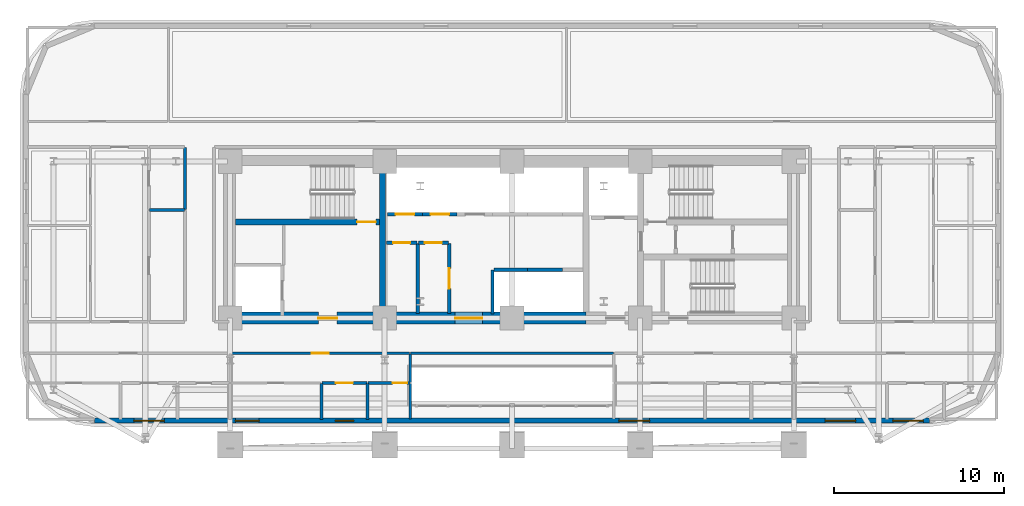
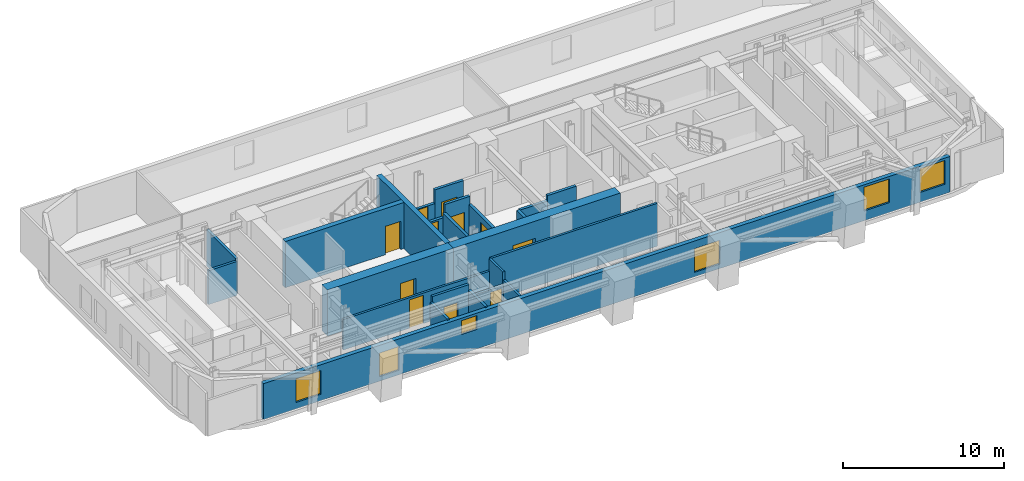
# One storey, part 9 of 16: 24 walls, 11 doors, 6 windows, 17 openings.
"""IFC4 building model written with IfcOpenShell, lengths in metres."""

from ifc_helpers import new_model, si_unit, direction, frame, frame_2d, origin, place, context, subcontext, project, spatial, rectangle, extrude, material, layer, layer_set, type_object, element, fill, save


model = new_model("IFC4")

# Units and contexts
model_context = context("Model", 3, precision=1e-05, world=origin(), true_north=direction((0.0, 1.0)))
body_context = subcontext(model_context, "Body", "Model", "MODEL_VIEW")
ifc_project = project(units=[si_unit("LENGTHUNIT", "METRE"), si_unit("AREAUNIT", "SQUARE_METRE"), si_unit("VOLUMEUNIT", "CUBIC_METRE"), si_unit("PLANEANGLEUNIT", "RADIAN"), si_unit("MASSUNIT", "GRAM", prefix="KILO")], contexts=[model_context])

# Site, building, storey
site_placement = place(None, origin())
site = spatial("IfcSite", under=ifc_project, at=site_placement, CompositionType="ELEMENT")
building_placement = place(site_placement, origin())
building = spatial("IfcBuilding", under=site, at=building_placement, Name="Zarnavel Station Tower", CompositionType="ELEMENT")
storey_placement = place(building_placement, frame((0.0, 0.0, 64.0)))
storey = spatial("IfcBuildingStorey", under=building, at=storey_placement, Name="L17", CompositionType="ELEMENT", Elevation=64.0)

# Wall
ifc_material_1 = material(Name="Concrete C50/60", Category="concrete")
ifc_layer_1 = layer(ifc_material_1, 0.35009765625)
ifc_layer_set_1 = layer_set([ifc_layer_1], Name="CW_350")
wall_type_1 = type_object("IfcWallType", Name="CW_350", PredefinedType="SHEAR", material=ifc_layer_set_1)
wall_1_placement = place(storey_placement, frame((21.179931640625, 28.169921875, 0.0), z_axis=(0.0, 0.0, 1.0), x_axis=(0.0, 1.0, 0.0)))
element("IfcWall", 1, at=wall_1_placement, inside=storey, type_object=wall_type_1, Name="L17 Rear Core Shear Wall DIV-W", PredefinedType="SHEAR", context=body_context, shape_type="SweptSolid", body=[
    extrude(rectangle(XDim=8.530029296875, YDim=0.35009765625, at=frame_2d((4.26513671875, 0.0))), origin(), (0.0, 0.0, 1.0), 3.5),
])

# Wall, opening, door
wall_2_placement = place(storey_placement, frame((21.0048828125, 33.47998046875, 0.0), z_axis=(0.0, 0.0, 1.0), x_axis=(-1.0, 0.0, 0.0)))
wall_2 = element("IfcWall", 2, at=wall_2_placement, inside=storey, type_object=wall_type_1, Name="L17 Rear Core Shear Wall DIV-H1", PredefinedType="SHEAR", context=body_context, shape_type="SweptSolid", body=[
    extrude(rectangle(XDim=8.5048828125, YDim=0.35009765625, at=frame_2d((4.25244140625, 0.0))), origin(), (0.0, 0.0, 1.0), 3.5),
])
opening_1_placement = place(wall_2_placement, frame((0.219970703125, 0.0, 0.0)))
opening_1 = element("IfcOpeningElement", 3, at=opening_1_placement, cuts=wall_2, Name="Opening FD01", PredefinedType="OPENING", context=body_context, shape_type="SweptSolid", body=[
    extrude(rectangle(XDim=1.10009765625, YDim=2.14990234375, at=frame_2d((0.550048828125, 1.074951171875))), frame((0.0, 0.18505859375, 0.0), z_axis=(0.0, -1.0, 0.0), x_axis=(1.0, 0.0, 0.0)), (0.0, 0.0, 1.0), 0.3701171875),
])
ifc_material_2 = material(Name="Painted Galvanised Steel and Hardwood Leaf", Category="steel")
door_type_1 = type_object("IfcDoorType", Name="ID_STAIR_1100", OperationType="NOTDEFINED", PredefinedType="DOOR", material=ifc_material_2)
door_1_placement = place(opening_1_placement, origin())
door_1 = element("IfcDoor", 4, at=door_1_placement, inside=storey, type_object=door_type_1, Name="L17 Stair ST1 Lobby Fire Door", OperationType="SINGLE_SWING_LEFT", OverallHeight=2.14990234375, OverallWidth=1.10009765625, PredefinedType="DOOR", context=body_context, shape_type="SweptSolid", body=[
    extrude(rectangle(XDim=1.10009765625, YDim=2.14990234375, at=frame_2d((0.550048828125, 1.074951171875))), frame((0.0, 0.02490234375, 0.0), z_axis=(0.0, -1.0, 0.0), x_axis=(1.0, 0.0, 0.0)), (0.0, 0.0, 1.0), 0.050048828125),
])
fill(opening_1, door_1)

ifc_material_3 = material(Name="Concrete C60/75", Category="concrete")
ifc_layer_2 = layer(ifc_material_3, 0.699951171875)
ifc_layer_set_2 = layer_set([ifc_layer_2], Name="CW_700")
wall_type_2 = type_object("IfcWallType", Name="CW_700", PredefinedType="SHEAR", material=ifc_layer_set_2)
wall_3_placement = place(storey_placement, frame((21.179931640625, 27.820068359375, 0.0), z_axis=(0.0, 0.0, 1.0), x_axis=(-1.0, 0.0, 0.0)))
wall_3 = element("IfcWall", 5, at=wall_3_placement, inside=storey, type_object=wall_type_2, Name="L17 Rear Core Shear Wall S-W", PredefinedType="SHEAR", context=body_context, shape_type="SweptSolid", body=[
    extrude(rectangle(XDim=9.030029296875, YDim=0.699951171875, at=frame_2d((4.51513671875, 0.0))), origin(), (0.0, 0.0, 1.0), 3.5),
])
opening_2_placement = place(wall_3_placement, frame((2.679931640625, 0.0, 0.0)))
opening_2 = element("IfcOpeningElement", 6, at=opening_2_placement, cuts=wall_3, Name="Opening FD01", PredefinedType="OPENING", context=body_context, shape_type="SweptSolid", body=[
    extrude(rectangle(XDim=1.10009765625, YDim=2.14990234375, at=frame_2d((0.550048828125, 1.074951171875))), frame((0.0, 0.35986328125, 0.0), z_axis=(0.0, -1.0, 0.0), x_axis=(1.0, 0.0, 0.0)), (0.0, 0.0, 1.0), 0.719970703125),
])
door_2_placement = place(opening_2_placement, origin())
door_2 = element("IfcDoor", 7, at=door_2_placement, inside=storey, type_object=door_type_1, Name="L17 West Firefighting Lobby Door", OperationType="SINGLE_SWING_RIGHT", OverallHeight=2.14990234375, OverallWidth=1.10009765625, PredefinedType="DOOR", context=body_context, shape_type="SweptSolid", body=[
    extrude(rectangle(XDim=1.10009765625, YDim=2.14990234375, at=frame_2d((0.550048828125, 1.074951171875))), frame((0.0, 0.02490234375, 0.0), z_axis=(0.0, -1.0, 0.0), x_axis=(1.0, 0.0, 0.0)), (0.0, 0.0, 1.0), 0.050048828125),
])
fill(opening_2, door_2)

wall_4_placement = place(storey_placement, frame((33.14990234375, 27.820068359375, 0.0), z_axis=(0.0, 0.0, 1.0), x_axis=(-1.0, 0.0, 0.0)))
wall_4 = element("IfcWall", 8, at=wall_4_placement, inside=storey, type_object=wall_type_2, Name="L17 Rear Core Shear Wall S-M", PredefinedType="SHEAR", context=body_context, shape_type="SweptSolid", body=[
    extrude(rectangle(XDim=11.969970703125, YDim=0.699951171875, at=frame_2d((5.98486328125, 0.0))), origin(), (0.0, 0.0, 1.0), 3.5),
])
opening_3_placement = place(wall_4_placement, frame((6.10009765625, 0.0, 0.0)))
opening_3 = element("IfcOpeningElement", 9, at=opening_3_placement, cuts=wall_4, Name="Opening ID03", PredefinedType="OPENING", context=body_context, shape_type="SweptSolid", body=[
    extrude(rectangle(XDim=1.60009765625, YDim=2.199951171875, at=frame_2d((0.800048828125, 1.10009765625))), frame((0.0, 0.35986328125, 0.0), z_axis=(0.0, -1.0, 0.0), x_axis=(1.0, 0.0, 0.0)), (0.0, 0.0, 1.0), 0.719970703125),
])
ifc_material_4 = material(Name="Painted Galvanised Steel and Hardwood Leaf", Category="steel")
door_type_2 = type_object("IfcDoorType", Name="ID_PUBLIC_1600", OperationType="DOUBLE_DOOR_SINGLE_SWING", PredefinedType="DOOR", material=ifc_material_4)
door_3_placement = place(opening_3_placement, origin())
door_3 = element("IfcDoor", 10, at=door_3_placement, inside=storey, type_object=door_type_2, Name="L17 Passenger Lift Lobby Double Door", OperationType="SINGLE_SWING_LEFT", OverallHeight=2.199951171875, OverallWidth=1.60009765625, PredefinedType="DOOR", context=body_context, shape_type="SweptSolid", body=[
    extrude(rectangle(XDim=1.60009765625, YDim=2.199951171875, at=frame_2d((0.800048828125, 1.10009765625))), frame((0.0, 0.02490234375, 0.0), z_axis=(0.0, -1.0, 0.0), x_axis=(1.0, 0.0, 0.0)), (0.0, 0.0, 1.0), 0.050048828125),
])
fill(opening_3, door_3)

# Wall, openings, windows
ifc_material_5 = material(Name="Precast concrete C45/55 (Dark Basalt Finish)", Category="masonry")
ifc_layer_3 = layer(ifc_material_5, 0.300048828125)
ifc_layer_set_3 = layer_set([ifc_layer_3], Name="EW_BASALT_300")
wall_type_3 = type_object("IfcWallType", Name="EW_BASALT_300", PredefinedType="SOLIDWALL", material=ifc_layer_set_3)
wall_5_placement = place(storey_placement, frame((53.39990234375, 21.780029296875, 0.0), z_axis=(0.0, 0.0, 1.0), x_axis=(-1.0, 0.0, 0.0)))
wall_5 = element("IfcWall", 11, at=wall_5_placement, inside=storey, type_object=wall_type_3, Name="L17 Exterior Basalt Masonry Frame Wall 12", PredefinedType="SOLIDWALL", context=body_context, shape_type="SweptSolid", body=[
    extrude(rectangle(XDim=49.199951171875, YDim=0.300048828125, at=frame_2d((24.60009765625, 0.0))), origin(), (0.0, 0.0, 1.0), 2.719970703125),
])
opening_4_placement = place(wall_5_placement, frame((45.071533203125, 0.0, 0.47998046875)))
opening_4 = element("IfcOpeningElement", 12, at=opening_4_placement, cuts=wall_5, Name="Opening WN02", PredefinedType="OPENING", context=body_context, shape_type="SweptSolid", body=[
    extrude(rectangle(XDim=1.800048828125, YDim=1.800048828125, at=frame_2d((0.89990234375, 0.89990234375))), frame((0.0, 0.159912109375, 0.0), z_axis=(0.0, -1.0, 0.0), x_axis=(1.0, 0.0, 0.0)), (0.0, 0.0, 1.0), 0.320068359375),
])
opening_5_placement = place(wall_5_placement, frame((39.5, 0.0, 0.340087890625)))
opening_5 = element("IfcOpeningElement", 13, at=opening_5_placement, cuts=wall_5, Name="Opening WN01", PredefinedType="OPENING", context=body_context, shape_type="SweptSolid", body=[
    extrude(rectangle(XDim=1.39990234375, YDim=1.800048828125, at=frame_2d((0.699951171875, 0.89990234375))), frame((0.0, 0.159912109375, 0.0), z_axis=(0.0, -1.0, 0.0), x_axis=(1.0, 0.0, 0.0)), (0.0, 0.0, 1.0), 0.320068359375),
])
opening_6_placement = place(wall_5_placement, frame((33.9169921875, 0.0, 1.47998046875)))
opening_6 = element("IfcOpeningElement", 14, at=opening_6_placement, cuts=wall_5, Name="Opening WN09", PredefinedType="OPENING", context=body_context, shape_type="SweptSolid", body=[
    extrude(rectangle(XDim=1.10009765625, YDim=1.050048828125, at=frame_2d((0.550048828125, 0.52490234375))), frame((0.0, 0.159912109375, 0.0), z_axis=(0.0, -1.0, 0.0), x_axis=(1.0, 0.0, 0.0)), (0.0, 0.0, 1.0), 0.320068359375),
])
opening_7_placement = place(wall_5_placement, frame((16.5, 0.0, 0.340087890625)))
opening_7 = element("IfcOpeningElement", 15, at=opening_7_placement, cuts=wall_5, Name="Opening WN02", PredefinedType="OPENING", context=body_context, shape_type="SweptSolid", body=[
    extrude(rectangle(XDim=1.800048828125, YDim=1.800048828125, at=frame_2d((0.89990234375, 0.89990234375))), frame((0.0, 0.159912109375, 0.0), z_axis=(0.0, -1.0, 0.0), x_axis=(1.0, 0.0, 0.0)), (0.0, 0.0, 1.0), 0.320068359375),
])
opening_8_placement = place(wall_5_placement, frame((4.35400390625, 0.0, 0.739990234375)))
opening_8 = element("IfcOpeningElement", 16, at=opening_8_placement, cuts=wall_5, Name="Opening WN02", PredefinedType="OPENING", context=body_context, shape_type="SweptSolid", body=[
    extrude(rectangle(XDim=1.800048828125, YDim=1.800048828125, at=frame_2d((0.89990234375, 0.89990234375))), frame((0.0, 0.159912109375, 0.0), z_axis=(0.0, -1.0, 0.0), x_axis=(1.0, 0.0, 0.0)), (0.0, 0.0, 1.0), 0.320068359375),
])
opening_9_placement = place(wall_5_placement, frame((0.364013671875, 0.0, 0.739990234375)))
opening_9 = element("IfcOpeningElement", 17, at=opening_9_placement, cuts=wall_5, Name="Opening WN02", PredefinedType="OPENING", context=body_context, shape_type="SweptSolid", body=[
    extrude(rectangle(XDim=1.800048828125, YDim=1.800048828125, at=frame_2d((0.89990234375, 0.89990234375))), frame((0.0, 0.159912109375, 0.0), z_axis=(0.0, -1.0, 0.0), x_axis=(1.0, 0.0, 0.0)), (0.0, 0.0, 1.0), 0.320068359375),
])
ifc_material_6 = material(Name="Thermally Broken Black Aluminium and Low-E Dark Glass", Category="aluminium")
window_type_1 = type_object("IfcWindowType", Name="WN_1100x1050", PartitioningType="SINGLE_PANEL", PredefinedType="WINDOW", material=ifc_material_6)
window_1_placement = place(opening_6_placement, origin())
window_1 = element("IfcWindow", 18, at=window_1_placement, inside=storey, type_object=window_type_1, Name="L17 Recessed Facade Window 03", OverallHeight=1.050048828125, OverallWidth=1.10009765625, PartitioningType="SINGLE_PANEL", PredefinedType="WINDOW", context=body_context, shape_type="SweptSolid", body=[
    extrude(rectangle(XDim=1.10009765625, YDim=1.050048828125, at=frame_2d((0.550048828125, 0.52490234375))), frame((0.0, 0.030029296875, 0.0), z_axis=(0.0, -1.0, 0.0), x_axis=(1.0, 0.0, 0.0)), (0.0, 0.0, 1.0), 0.06005859375),
])
fill(opening_6, window_1)
ifc_material_7 = material(Name="Thermally Broken Black Aluminium and Low-E Dark Glass", Category="aluminium")
window_type_2 = type_object("IfcWindowType", Name="WN_1400x1800", PartitioningType="DOUBLE_PANEL_VERTICAL", PredefinedType="WINDOW", material=ifc_material_7)
window_2_placement = place(opening_5_placement, origin())
window_2 = element("IfcWindow", 19, at=window_2_placement, inside=storey, type_object=window_type_2, Name="L17 Recessed Facade Window 02", OverallHeight=1.800048828125, OverallWidth=1.39990234375, PartitioningType="SINGLE_PANEL", PredefinedType="WINDOW", context=body_context, shape_type="SweptSolid", body=[
    extrude(rectangle(XDim=1.39990234375, YDim=1.800048828125, at=frame_2d((0.699951171875, 0.89990234375))), frame((0.0, 0.030029296875, 0.0), z_axis=(0.0, -1.0, 0.0), x_axis=(1.0, 0.0, 0.0)), (0.0, 0.0, 1.0), 0.06005859375),
])
fill(opening_5, window_2)
ifc_material_8 = material(Name="Thermally Broken Black Aluminium and Low-E Dark Glass", Category="aluminium")
window_type_3 = type_object("IfcWindowType", Name="WN_1800x1800", PartitioningType="DOUBLE_PANEL_VERTICAL", PredefinedType="WINDOW", material=ifc_material_8)
window_3_placement = place(opening_4_placement, origin())
window_3 = element("IfcWindow", 20, at=window_3_placement, inside=storey, type_object=window_type_3, Name="L17 Recessed Facade Window 01", OverallHeight=1.800048828125, OverallWidth=1.800048828125, PartitioningType="SINGLE_PANEL", PredefinedType="WINDOW", context=body_context, shape_type="SweptSolid", body=[
    extrude(rectangle(XDim=1.800048828125, YDim=1.800048828125, at=frame_2d((0.89990234375, 0.89990234375))), frame((0.0, 0.030029296875, 0.0), z_axis=(0.0, -1.0, 0.0), x_axis=(1.0, 0.0, 0.0)), (0.0, 0.0, 1.0), 0.06005859375),
])
fill(opening_4, window_3)
window_4_placement = place(opening_7_placement, origin())
window_4 = element("IfcWindow", 21, at=window_4_placement, inside=storey, type_object=window_type_3, Name="L17 Recessed Facade Window 04", OverallHeight=1.800048828125, OverallWidth=1.800048828125, PartitioningType="SINGLE_PANEL", PredefinedType="WINDOW", context=body_context, shape_type="SweptSolid", body=[
    extrude(rectangle(XDim=1.800048828125, YDim=1.800048828125, at=frame_2d((0.89990234375, 0.89990234375))), frame((0.0, 0.030029296875, 0.0), z_axis=(0.0, -1.0, 0.0), x_axis=(1.0, 0.0, 0.0)), (0.0, 0.0, 1.0), 0.06005859375),
])
fill(opening_7, window_4)
window_5_placement = place(opening_8_placement, origin())
window_5 = element("IfcWindow", 22, at=window_5_placement, inside=storey, type_object=window_type_3, Name="L17 Recessed Facade Window 05", OverallHeight=1.800048828125, OverallWidth=1.800048828125, PartitioningType="SINGLE_PANEL", PredefinedType="WINDOW", context=body_context, shape_type="SweptSolid", body=[
    extrude(rectangle(XDim=1.800048828125, YDim=1.800048828125, at=frame_2d((0.89990234375, 0.89990234375))), frame((0.0, 0.030029296875, 0.0), z_axis=(0.0, -1.0, 0.0), x_axis=(1.0, 0.0, 0.0)), (0.0, 0.0, 1.0), 0.06005859375),
])
fill(opening_8, window_5)
window_6_placement = place(opening_9_placement, origin())
window_6 = element("IfcWindow", 23, at=window_6_placement, inside=storey, type_object=window_type_3, Name="L17 Recessed Facade Window 06", OverallHeight=1.800048828125, OverallWidth=1.800048828125, PartitioningType="SINGLE_PANEL", PredefinedType="WINDOW", context=body_context, shape_type="SweptSolid", body=[
    extrude(rectangle(XDim=1.800048828125, YDim=1.800048828125, at=frame_2d((0.89990234375, 0.89990234375))), frame((0.0, 0.030029296875, 0.0), z_axis=(0.0, -1.0, 0.0), x_axis=(1.0, 0.0, 0.0)), (0.0, 0.0, 1.0), 0.06005859375),
])
fill(opening_9, window_6)

# Wall, opening, door
ifc_material_9 = material(Name="Gypsum Twin-Stud Acoustic Fire Partition", Category="concrete")
ifc_layer_4 = layer(ifc_material_9, 0.159912109375)
ifc_layer_set_4 = layer_set([ifc_layer_4], Name="PT_DEMISE_160")
wall_type_4 = type_object("IfcWallType", Name="PT_DEMISE_160", PredefinedType="PARTITIONING", material=ifc_layer_set_4)
wall_6_placement = place(storey_placement, frame((12.239990234375, 25.75, 0.0), z_axis=(0.0, 0.0, 1.0), x_axis=(1.0, 0.0, 0.0)))
wall_6 = element("IfcWall", 24, at=wall_6_placement, inside=storey, type_object=wall_type_4, Name="L17 Partition COR-S-UW2LV", PredefinedType="PARTITIONING", context=body_context, shape_type="SweptSolid", body=[
    extrude(rectangle(XDim=10.52001953125, YDim=0.159912109375, at=frame_2d((5.260009765625, 0.0))), origin(), (0.0, 0.0, 1.0), 2.31005859375),
])
opening_10_placement = place(wall_6_placement, frame((4.760009765625, 0.0, 0.0)))
opening_10 = element("IfcOpeningElement", 25, at=opening_10_placement, cuts=wall_6, Name="Opening FD02", PredefinedType="OPENING", context=body_context, shape_type="SweptSolid", body=[
    extrude(rectangle(XDim=1.0, YDim=2.14990234375, at=frame_2d((0.5, 1.074951171875))), frame((0.0, 0.08984375, 0.0), z_axis=(0.0, -1.0, 0.0), x_axis=(1.0, 0.0, 0.0)), (0.0, 0.0, 1.0), 0.179931640625),
])
ifc_material_10 = material(Name="Painted Galvanised Steel and Hardwood Leaf", Category="steel")
door_type_3 = type_object("IfcDoorType", Name="ID_ENTRY_1000", OperationType="NOTDEFINED", PredefinedType="DOOR", material=ifc_material_10)
door_4_placement = place(opening_10_placement, origin())
door_4 = element("IfcDoor", 26, at=door_4_placement, inside=storey, type_object=door_type_3, Name="L17 Door COR-S-UW2LV", OperationType="SINGLE_SWING_LEFT", OverallHeight=2.14990234375, OverallWidth=1.0, PredefinedType="DOOR", context=body_context, shape_type="SweptSolid", body=[
    extrude(rectangle(XDim=1.0, YDim=2.14990234375, at=frame_2d((0.5, 1.074951171875))), frame((0.0, 0.02490234375, 0.0), z_axis=(0.0, -1.0, 0.0), x_axis=(1.0, 0.0, 0.0)), (0.0, 0.0, 1.0), 0.050048828125),
])
fill(opening_10, door_4)

# Walls
wall_7_placement = place(storey_placement, frame((22.830078125, 25.75, 0.0), z_axis=(0.0, 0.0, 1.0), x_axis=(1.0, 0.0, 0.0)))
element("IfcWall", 27, at=wall_7_placement, inside=storey, type_object=wall_type_4, Name="L17 Enclosure Wall COR-S", PredefinedType="PARTITIONING", context=body_context, shape_type="SweptSolid", body=[
    extrude(rectangle(XDim=11.93994140625, YDim=0.159912109375, at=frame_2d((5.969970703125, 0.0))), origin(), (0.0, 0.0, 1.0), 3.239990234375),
])
wall_8_placement = place(storey_placement, frame((22.800048828125, 24.030029296875, 0.0), z_axis=(0.0, 0.0, 1.0), x_axis=(0.0, 1.0, 0.0)))
element("IfcWall", 28, at=wall_8_placement, inside=storey, type_object=wall_type_4, Name="L17 Enclosure Wall UW2LV", PredefinedType="PARTITIONING", context=body_context, shape_type="SweptSolid", body=[
    extrude(rectangle(XDim=1.68994140625, YDim=0.159912109375, at=frame_2d((0.844970703125, 0.0))), origin(), (0.0, 0.0, 1.0), 3.239990234375),
])
wall_9_placement = place(storey_placement, frame((22.800048828125, 21.889892578125, 0.0), z_axis=(0.0, 0.0, 1.0), x_axis=(0.0, 1.0, 0.0)))
element("IfcWall", 29, at=wall_9_placement, inside=storey, type_object=wall_type_4, Name="L17 Enclosure Wall UW2BA", PredefinedType="PARTITIONING", context=body_context, shape_type="SweptSolid", body=[
    extrude(rectangle(XDim=2.080078125, YDim=0.159912109375, at=frame_2d((1.0400390625, 0.0))), origin(), (0.0, 0.0, 1.0), 2.679931640625),
])
ifc_material_11 = material(Name="Precast concrete C45/55 (Fire Shaft Blockwork)", Category="masonry")
ifc_layer_5 = layer(ifc_material_11, 0.199951171875)
ifc_layer_set_5 = layer_set([ifc_layer_5], Name="PT_SHAFT_200")
wall_type_5 = type_object("IfcWallType", Name="PT_SHAFT_200", PredefinedType="PARTITIONING", material=ifc_layer_set_5)
wall_10_placement = place(storey_placement, frame((27.75, 30.669921875, 0.0), z_axis=(0.0, 0.0, 1.0), x_axis=(1.0, 0.0, 0.0)))
element("IfcWall", 30, at=wall_10_placement, inside=storey, type_object=wall_type_5, Name="L17 Lift PL-H1 Shaft Front Wall", PredefinedType="PARTITIONING", context=body_context, shape_type="SweptSolid", body=[
    extrude(rectangle(XDim=1.97509765625, YDim=0.199951171875, at=frame_2d((0.987548828125, 0.0))), origin(), (0.0, 0.0, 1.0), 2.2119140625),
])
wall_11_placement = place(storey_placement, frame((27.64990234375, 28.070068359375, 0.0), z_axis=(0.0, 0.0, 1.0), x_axis=(0.0, 1.0, 0.0)))
element("IfcWall", 31, at=wall_11_placement, inside=storey, type_object=wall_type_5, Name="L17 High-Rise Lift Bank West Shaft Wall", PredefinedType="PARTITIONING", context=body_context, shape_type="SweptSolid", body=[
    extrude(rectangle(XDim=2.579833984375, YDim=0.199951171875, at=frame_2d((1.2900390625, 0.0))), origin(), (0.0, 0.0, 1.0), 2.2119140625),
])
wall_12_placement = place(storey_placement, frame((29.72509765625, 30.669921875, 0.0), z_axis=(0.0, 0.0, 1.0), x_axis=(1.0, 0.0, 0.0)))
element("IfcWall", 32, at=wall_12_placement, inside=storey, type_object=wall_type_5, Name="L17 Lift PL-H2 Shaft Front Wall", PredefinedType="PARTITIONING", context=body_context, shape_type="SweptSolid", body=[
    extrude(rectangle(XDim=2.0498046875, YDim=0.199951171875, at=frame_2d((1.02490234375, 0.0))), origin(), (0.0, 0.0, 1.0), 2.6201171875),
])

# Wall, opening, door
wall_13_placement = place(storey_placement, frame((21.4599609375, 33.929931640625, 0.0), z_axis=(0.0, 0.0, 1.0), x_axis=(1.0, 0.0, 0.0)))
wall_13 = element("IfcWall", 33, at=wall_13_placement, inside=storey, type_object=wall_type_5, Name="L17 Lift PL-L1 Shaft Front Wall", PredefinedType="PARTITIONING", context=body_context, shape_type="SweptSolid", body=[
    extrude(rectangle(XDim=2.06494140625, YDim=0.199951171875, at=frame_2d((1.032470703125, 0.0))), origin(), (0.0, 0.0, 1.0), 2.2119140625),
])
opening_11_placement = place(wall_13_placement, frame((0.482421875, 0.0, 0.0)))
opening_11 = element("IfcOpeningElement", 34, at=opening_11_placement, cuts=wall_13, Name="Opening LD02", PredefinedType="OPENING", context=body_context, shape_type="SweptSolid", body=[
    extrude(rectangle(XDim=1.10009765625, YDim=2.14990234375, at=frame_2d((0.550048828125, 1.074951171875))), frame((0.0, 0.10986328125, 0.0), z_axis=(0.0, -1.0, 0.0), x_axis=(1.0, 0.0, 0.0)), (0.0, 0.0, 1.0), 0.219970703125),
])
ifc_material_12 = material(Name="Painted Galvanised Steel and Hardwood Leaf", Category="steel")
door_type_4 = type_object("IfcDoorType", Name="LD_PAX_1100", OperationType="DOUBLE_DOOR_SLIDING", PredefinedType="DOOR", material=ifc_material_12)
door_5_placement = place(opening_11_placement, origin())
door_5 = element("IfcDoor", 35, at=door_5_placement, inside=storey, type_object=door_type_4, Name="L17 Lift PL-L1 Sliding Landing Door", OperationType="DOUBLE_DOOR_SLIDING", OverallHeight=2.14990234375, OverallWidth=1.10009765625, PredefinedType="DOOR", context=body_context, shape_type="SweptSolid", body=[
    extrude(rectangle(XDim=1.10009765625, YDim=2.14990234375, at=frame_2d((0.550048828125, 1.074951171875))), frame((0.0, 0.02490234375, 0.0), z_axis=(0.0, -1.0, 0.0), x_axis=(1.0, 0.0, 0.0)), (0.0, 0.0, 1.0), 0.050048828125),
])
fill(opening_11, door_5)

wall_14_placement = place(storey_placement, frame((23.52490234375, 33.929931640625, 0.0), z_axis=(0.0, 0.0, 1.0), x_axis=(1.0, 0.0, 0.0)))
wall_14 = element("IfcWall", 36, at=wall_14_placement, inside=storey, type_object=wall_type_5, Name="L17 Lift PL-L2 Shaft Front Wall", PredefinedType="PARTITIONING", context=body_context, shape_type="SweptSolid", body=[
    extrude(rectangle(XDim=2.050048828125, YDim=0.199951171875, at=frame_2d((1.02490234375, 0.0))), origin(), (0.0, 0.0, 1.0), 3.239990234375),
])
opening_12_placement = place(wall_14_placement, frame((0.47509765625, 0.0, 0.0)))
opening_12 = element("IfcOpeningElement", 37, at=opening_12_placement, cuts=wall_14, Name="Opening LD02", PredefinedType="OPENING", context=body_context, shape_type="SweptSolid", body=[
    extrude(rectangle(XDim=1.10009765625, YDim=2.14990234375, at=frame_2d((0.550048828125, 1.074951171875))), frame((0.0, 0.10986328125, 0.0), z_axis=(0.0, -1.0, 0.0), x_axis=(1.0, 0.0, 0.0)), (0.0, 0.0, 1.0), 0.219970703125),
])
door_6_placement = place(opening_12_placement, origin())
door_6 = element("IfcDoor", 38, at=door_6_placement, inside=storey, type_object=door_type_4, Name="L17 Lift PL-L2 Sliding Landing Door", OperationType="DOUBLE_DOOR_SLIDING", OverallHeight=2.14990234375, OverallWidth=1.10009765625, PredefinedType="DOOR", context=body_context, shape_type="SweptSolid", body=[
    extrude(rectangle(XDim=1.10009765625, YDim=2.14990234375, at=frame_2d((0.550048828125, 1.074951171875))), frame((0.0, 0.02490234375, 0.0), z_axis=(0.0, -1.0, 0.0), x_axis=(1.0, 0.0, 0.0)), (0.0, 0.0, 1.0), 0.050048828125),
])
fill(opening_12, door_6)

wall_15_placement = place(storey_placement, frame((21.39990234375, 32.25, 0.0), z_axis=(0.0, 0.0, 1.0), x_axis=(1.0, 0.0, 0.0)))
wall_15 = element("IfcWall", 39, at=wall_15_placement, inside=storey, type_object=wall_type_5, Name="L17 Partition LLOB-CS1", PredefinedType="PARTITIONING", context=body_context, shape_type="SweptSolid", body=[
    extrude(rectangle(XDim=1.81005859375, YDim=0.199951171875, at=frame_2d((0.905029296875, 0.0))), origin(), (0.0, 0.0, 1.0), 2.280029296875),
])
opening_13_placement = place(wall_15_placement, frame((0.405029296875, 0.0, 0.0)))
opening_13 = element("IfcOpeningElement", 40, at=opening_13_placement, cuts=wall_15, Name="Opening FD02", PredefinedType="OPENING", context=body_context, shape_type="SweptSolid", body=[
    extrude(rectangle(XDim=1.0, YDim=2.14990234375, at=frame_2d((0.5, 1.074951171875))), frame((0.0, 0.10986328125, 0.0), z_axis=(0.0, -1.0, 0.0), x_axis=(1.0, 0.0, 0.0)), (0.0, 0.0, 1.0), 0.219970703125),
])
door_7_placement = place(opening_13_placement, origin())
door_7 = element("IfcDoor", 41, at=door_7_placement, inside=storey, type_object=door_type_3, Name="L17 Door LLOB-CS1", OperationType="SINGLE_SWING_LEFT", OverallHeight=2.14990234375, OverallWidth=1.0, PredefinedType="DOOR", context=body_context, shape_type="SweptSolid", body=[
    extrude(rectangle(XDim=1.0, YDim=2.14990234375, at=frame_2d((0.5, 1.074951171875))), frame((0.0, 0.02490234375, 0.0), z_axis=(0.0, -1.0, 0.0), x_axis=(1.0, 0.0, 0.0)), (0.0, 0.0, 1.0), 0.050048828125),
])
fill(opening_13, door_7)

wall_16_placement = place(storey_placement, frame((23.2900390625, 32.25, 0.0), z_axis=(0.0, 0.0, 1.0), x_axis=(1.0, 0.0, 0.0)))
wall_16 = element("IfcWall", 42, at=wall_16_placement, inside=storey, type_object=wall_type_5, Name="L17 Partition LLOB-CS2", PredefinedType="PARTITIONING", context=body_context, shape_type="SweptSolid", body=[
    extrude(rectangle(XDim=1.77001953125, YDim=0.199951171875, at=frame_2d((0.885009765625, 0.0))), origin(), (0.0, 0.0, 1.0), 3.239990234375),
])
opening_14_placement = place(wall_16_placement, frame((0.385009765625, 0.0, 0.0)))
opening_14 = element("IfcOpeningElement", 43, at=opening_14_placement, cuts=wall_16, Name="Opening FD02", PredefinedType="OPENING", context=body_context, shape_type="SweptSolid", body=[
    extrude(rectangle(XDim=1.0, YDim=2.14990234375, at=frame_2d((0.5, 1.074951171875))), frame((0.0, 0.10986328125, 0.0), z_axis=(0.0, -1.0, 0.0), x_axis=(1.0, 0.0, 0.0)), (0.0, 0.0, 1.0), 0.219970703125),
])
door_8_placement = place(opening_14_placement, origin())
door_8 = element("IfcDoor", 44, at=door_8_placement, inside=storey, type_object=door_type_3, Name="L17 Door LLOB-CS2", OperationType="SINGLE_SWING_RIGHT", OverallHeight=2.14990234375, OverallWidth=1.0, PredefinedType="DOOR", context=body_context, shape_type="SweptSolid", body=[
    extrude(rectangle(XDim=1.0, YDim=2.14990234375, at=frame_2d((0.5, 1.074951171875))), frame((0.0, 0.02490234375, 0.0), z_axis=(0.0, -1.0, 0.0), x_axis=(1.0, 0.0, 0.0)), (0.0, 0.0, 1.0), 0.050048828125),
])
fill(opening_14, door_8)

wall_17_placement = place(storey_placement, frame((25.10009765625, 28.090087890625, 0.0), z_axis=(0.0, 0.0, 1.0), x_axis=(0.0, 1.0, 0.0)))
wall_17 = element("IfcWall", 45, at=wall_17_placement, inside=storey, type_object=wall_type_5, Name="L17 Partition LLOBS-CS2", PredefinedType="PARTITIONING", context=body_context, shape_type="SweptSolid", body=[
    extrude(rectangle(XDim=4.119873046875, YDim=0.199951171875, at=frame_2d((2.06005859375, 0.0))), origin(), (0.0, 0.0, 1.0), 2.6201171875),
])
opening_15_placement = place(wall_17_placement, frame((1.4599609375, 0.0, 0.0)))
opening_15 = element("IfcOpeningElement", 46, at=opening_15_placement, cuts=wall_17, Name="Opening FD03", PredefinedType="OPENING", context=body_context, shape_type="SweptSolid", body=[
    extrude(rectangle(XDim=1.199951171875, YDim=2.14990234375, at=frame_2d((0.60009765625, 1.074951171875))), frame((0.0, 0.10986328125, 0.0), z_axis=(0.0, -1.0, 0.0), x_axis=(1.0, 0.0, 0.0)), (0.0, 0.0, 1.0), 0.219970703125),
])
ifc_material_13 = material(Name="Painted Galvanised Steel and Hardwood Leaf", Category="steel")
door_type_5 = type_object("IfcDoorType", Name="ID_PLANT_1200", OperationType="NOTDEFINED", PredefinedType="DOOR", material=ifc_material_13)
door_9_placement = place(opening_15_placement, origin())
door_9 = element("IfcDoor", 47, at=door_9_placement, inside=storey, type_object=door_type_5, Name="L17 Door LLOBS-CS2", OperationType="SINGLE_SWING_LEFT", OverallHeight=2.14990234375, OverallWidth=1.199951171875, PredefinedType="DOOR", context=body_context, shape_type="SweptSolid", body=[
    extrude(rectangle(XDim=1.199951171875, YDim=2.14990234375, at=frame_2d((0.60009765625, 1.074951171875))), frame((0.0, 0.02490234375, 0.0), z_axis=(0.0, -1.0, 0.0), x_axis=(1.0, 0.0, 0.0)), (0.0, 0.0, 1.0), 0.050048828125),
])
fill(opening_15, door_9)

# Walls
wall_18_placement = place(storey_placement, frame((23.25, 28.090087890625, 0.0), z_axis=(0.0, 0.0, 1.0), x_axis=(0.0, 1.0, 0.0)))
element("IfcWall", 48, at=wall_18_placement, inside=storey, type_object=wall_type_5, Name="L17 Partition CS1-CS2", PredefinedType="PARTITIONING", context=body_context, shape_type="SweptSolid", body=[
    extrude(rectangle(XDim=4.119873046875, YDim=0.199951171875, at=frame_2d((2.06005859375, 0.0))), origin(), (0.0, 0.0, 1.0), 2.6201171875),
])
ifc_material_14 = material(Name="Moisture-Resistant Plumbing Chase Wall", Category="concrete")
ifc_layer_6 = layer(ifc_material_14, 0.179931640625)
ifc_layer_set_6 = layer_set([ifc_layer_6], Name="PW_PLUMB_180")
wall_type_6 = type_object("IfcWallType", Name="PW_PLUMB_180", PredefinedType="PLUMBINGWALL", material=ifc_layer_set_6)
wall_19_placement = place(storey_placement, frame((9.550048828125, 34.23193359375, 0.0), z_axis=(0.0, 0.0, 1.0), x_axis=(0.0, 1.0, 0.0)))
element("IfcWall", 49, at=wall_19_placement, inside=storey, type_object=wall_type_6, Name="L17 Partition COR-W-FNWBA", PredefinedType="PLUMBINGWALL", context=body_context, shape_type="SweptSolid", body=[
    extrude(rectangle(XDim=3.628173828125, YDim=0.179931640625, at=frame_2d((1.81396484375, 0.0))), origin(), (0.0, 0.0, 1.0), 2.719970703125),
])
wall_20_placement = place(storey_placement, frame((7.452880859375, 34.19189453125, 0.0), z_axis=(0.0, 0.0, 1.0), x_axis=(1.0, 0.0, 0.0)))
element("IfcWall", 50, at=wall_20_placement, inside=storey, type_object=wall_type_6, Name="L17 Partition FNWKT-FNWBA", PredefinedType="PLUMBINGWALL", context=body_context, shape_type="SweptSolid", body=[
    extrude(rectangle(XDim=2.05712890625, YDim=0.179931640625, at=frame_2d((1.028564453125, 0.0))), origin(), (0.0, 0.0, 1.0), 2.570068359375),
])

# Wall, opening, door
wall_21_placement = place(storey_placement, frame((17.614013671875, 24.0, 0.0), z_axis=(0.0, 0.0, 1.0), x_axis=(1.0, 0.0, 0.0)))
wall_21 = element("IfcWall", 51, at=wall_21_placement, inside=storey, type_object=wall_type_6, Name="L17 Partition UW2LV-UW2KT", PredefinedType="PLUMBINGWALL", context=body_context, shape_type="SweptSolid", body=[
    extrude(rectangle(XDim=2.637939453125, YDim=0.179931640625, at=frame_2d((1.31884765625, 0.0))), origin(), (0.0, 0.0, 1.0), 3.239990234375),
])
opening_16_placement = place(wall_21_placement, frame((0.819091796875, 0.0, 0.0)))
opening_16 = element("IfcOpeningElement", 52, at=opening_16_placement, cuts=wall_21, Name="Opening FD02", PredefinedType="OPENING", context=body_context, shape_type="SweptSolid", body=[
    extrude(rectangle(XDim=1.0, YDim=2.14990234375, at=frame_2d((0.5, 1.074951171875))), frame((0.0, 0.099853515625, 0.0), z_axis=(0.0, -1.0, 0.0), x_axis=(1.0, 0.0, 0.0)), (0.0, 0.0, 1.0), 0.199951171875),
])
door_10_placement = place(opening_16_placement, origin())
door_10 = element("IfcDoor", 53, at=door_10_placement, inside=storey, type_object=door_type_3, Name="L17 Door UW2LV-UW2KT", OperationType="SINGLE_SWING_LEFT", OverallHeight=2.14990234375, OverallWidth=1.0, PredefinedType="DOOR", context=body_context, shape_type="SweptSolid", body=[
    extrude(rectangle(XDim=1.0, YDim=2.14990234375, at=frame_2d((0.5, 1.074951171875))), frame((0.0, 0.02490234375, 0.0), z_axis=(0.0, -1.0, 0.0), x_axis=(1.0, 0.0, 0.0)), (0.0, 0.0, 1.0), 0.050048828125),
])
fill(opening_16, door_10)

wall_22_placement = place(storey_placement, frame((20.33203125, 24.0, 0.0), z_axis=(0.0, 0.0, 1.0), x_axis=(1.0, 0.0, 0.0)))
wall_22 = element("IfcWall", 54, at=wall_22_placement, inside=storey, type_object=wall_type_6, Name="L17 Partition UW2LV-UW2BA", PredefinedType="PLUMBINGWALL", context=body_context, shape_type="SweptSolid", body=[
    extrude(rectangle(XDim=2.427978515625, YDim=0.179931640625, at=frame_2d((1.2138671875, 0.0))), origin(), (0.0, 0.0, 1.0), 2.31005859375),
])
opening_17_placement = place(wall_22_placement, frame((1.43798828125, 0.0, 0.0)))
opening_17 = element("IfcOpeningElement", 55, at=opening_17_placement, cuts=wall_22, Name="Opening ID02", PredefinedType="OPENING", context=body_context, shape_type="SweptSolid", body=[
    extrude(rectangle(XDim=0.85009765625, YDim=2.10009765625, at=frame_2d((0.425048828125, 1.050048828125))), frame((0.0, 0.099853515625, 0.0), z_axis=(0.0, -1.0, 0.0), x_axis=(1.0, 0.0, 0.0)), (0.0, 0.0, 1.0), 0.199951171875),
])
ifc_material_15 = material(Name="Painted Galvanised Steel and Hardwood Leaf", Category="steel")
door_type_6 = type_object("IfcDoorType", Name="ID_BATH_850", OperationType="NOTDEFINED", PredefinedType="DOOR", material=ifc_material_15)
door_11_placement = place(opening_17_placement, origin())
door_11 = element("IfcDoor", 56, at=door_11_placement, inside=storey, type_object=door_type_6, Name="L17 Door UW2LV-UW2BA", OperationType="SINGLE_SWING_RIGHT", OverallHeight=2.10009765625, OverallWidth=0.85009765625, PredefinedType="DOOR", context=body_context, shape_type="SweptSolid", body=[
    extrude(rectangle(XDim=0.85009765625, YDim=2.10009765625, at=frame_2d((0.425048828125, 1.050048828125))), frame((0.0, 0.02490234375, 0.0), z_axis=(0.0, -1.0, 0.0), x_axis=(1.0, 0.0, 0.0)), (0.0, 0.0, 1.0), 0.050048828125),
])
fill(opening_17, door_11)

# Walls
for number, where, z_axis, x_axis, name in (
    (57, (17.573974609375, 21.860107421875, 0.0), (0.0, 0.0, 1.0), (0.0, 1.0, 0.0), "L17 Partition UW2B1-UW2KT"),
    (58, (20.2919921875, 21.860107421875, 0.0), (0.0, 0.0, 1.0), (0.0, 1.0, 0.0), "L17 Partition UW2KT-UW2BA"),
):
    element("IfcWall", number, at=place(storey_placement, frame(where, z_axis=z_axis, x_axis=x_axis)), inside=storey, type_object=wall_type_6, Name=name, PredefinedType="PLUMBINGWALL", context=body_context, shape_type="SweptSolid", body=[
        extrude(rectangle(XDim=2.099853515625, YDim=0.179931640625, at=frame_2d((1.0498046875, 0.0))), origin(), (0.0, 0.0, 1.0), 2.820068359375),
    ])

save(model, "model.ifc")
